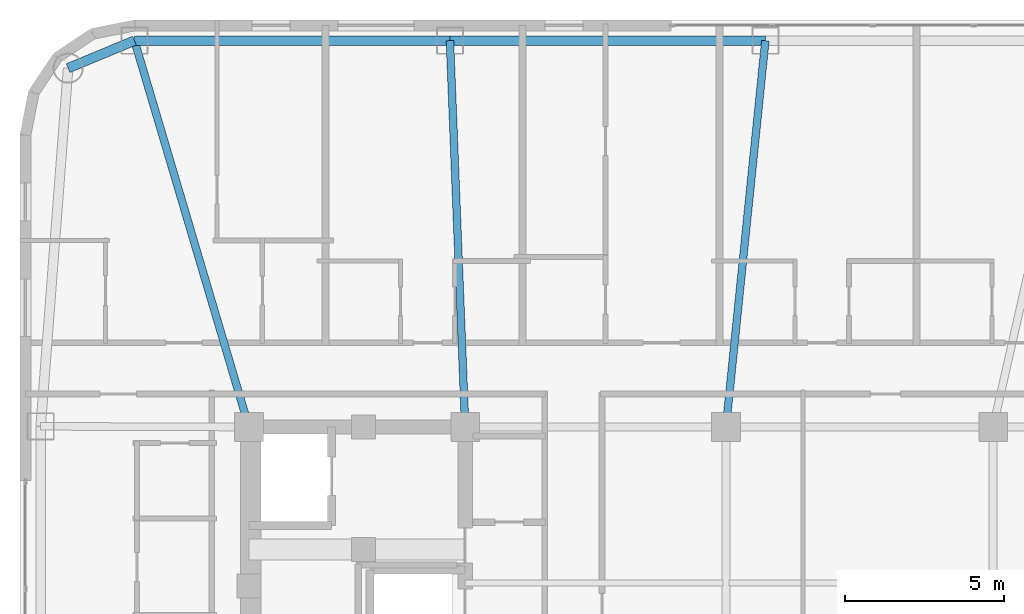
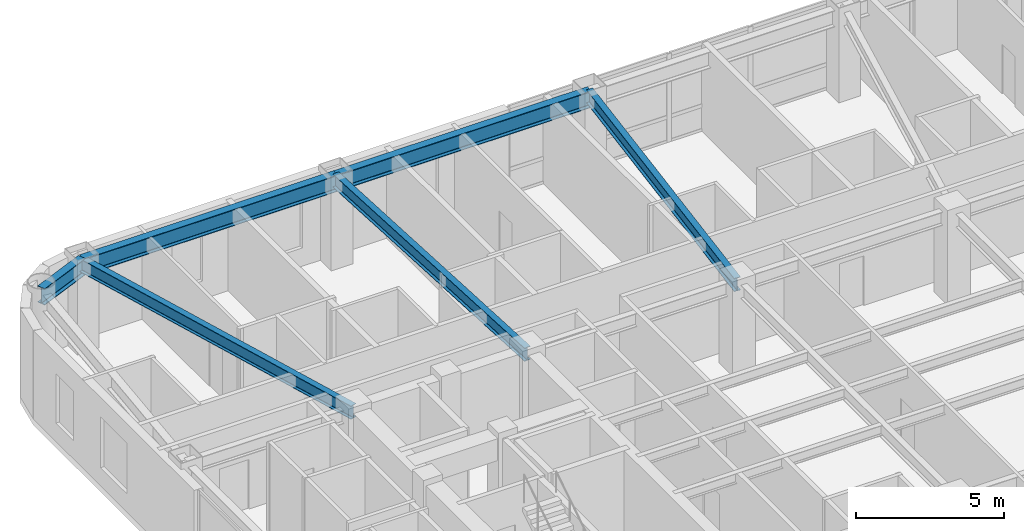
# One storey, part 16 of 29: 6 beams.
"""IFC4 building model written with IfcOpenShell, lengths in metres."""

from ifc_helpers import new_model, si_unit, direction, frame, origin, origin_2d, place, context, subcontext, project, spatial, i_section, extrude, material, material_profile, profile_set, type_object, element, save


model = new_model("IFC4")

# Units and contexts
model_context = context("Model", 3, precision=1e-05, world=origin(), true_north=direction((0.0, 1.0)))
body_context = subcontext(model_context, "Body", "Model", "MODEL_VIEW")
ifc_project = project(units=[si_unit("LENGTHUNIT", "METRE"), si_unit("AREAUNIT", "SQUARE_METRE"), si_unit("VOLUMEUNIT", "CUBIC_METRE"), si_unit("PLANEANGLEUNIT", "RADIAN"), si_unit("MASSUNIT", "GRAM", prefix="KILO")], contexts=[model_context])

# Site, building, storey
site_placement = place(None, origin())
site = spatial("IfcSite", under=ifc_project, at=site_placement, CompositionType="ELEMENT")
building_placement = place(site_placement, origin())
building = spatial("IfcBuilding", under=site, at=building_placement, Name="Voryun Gate Residences", CompositionType="ELEMENT")
storey_placement = place(building_placement, frame((0.0, 0.0, 211.89990234375)))
storey = spatial("IfcBuildingStorey", under=building, at=storey_placement, Name="L52", CompositionType="ELEMENT", Elevation=211.89990234375)

# Beams
ifc_material_1 = material(Name="Steel SM355", Category="steel")
ifc_material_profile_1 = material_profile(ifc_material_1, i_section(OverallWidth=0.300048828125, OverallDepth=0.679931640625, WebThickness=0.013916015625, FlangeThickness=0.02490234375, FilletRadius=0.01806640625, at=origin_2d()), Name="H-680x300x14x25")
ifc_profile_set_1 = profile_set([ifc_material_profile_1], Name="Steel SM355")
beam_type_1 = type_object("IfcBeamType", Name="BM_EXO_SPANDREL_M", PredefinedType="SPANDREL", material=ifc_profile_set_1)
beam_1_placement = place(storey_placement, frame((-2.9599609375, 19.550048828125, 3.31005859375), z_axis=(-1.0, 0.0, 0.0), x_axis=(0.0, -1.0, 0.0)))
element("IfcBeam", 1, at=beam_1_placement, inside=storey, type_object=beam_type_1, Name="BM-L52-SPAND-14", PredefinedType="SPANDREL", context=body_context, shape_type="SweptSolid", body=[
    extrude(i_section(OverallWidth=0.300048828125, OverallDepth=0.679931640625, WebThickness=0.013916015625, FlangeThickness=0.02490234375, FilletRadius=0.01806640625, at=origin_2d()), origin(), (0.0, 0.0, 1.0), 9.919921875),
])
beam_2_placement = place(storey_placement, frame((-12.8798828125, 19.550048828125, 3.31005859375), z_axis=(-1.0, 0.0, 0.0), x_axis=(0.0, -1.0, 0.0)))
element("IfcBeam", 2, at=beam_2_placement, inside=storey, type_object=beam_type_1, Name="BM-L52-SPAND-15", PredefinedType="SPANDREL", context=body_context, shape_type="SweptSolid", body=[
    extrude(i_section(OverallWidth=0.300048828125, OverallDepth=0.679931640625, WebThickness=0.013916015625, FlangeThickness=0.02490234375, FilletRadius=0.01806640625, at=origin_2d()), origin(), (0.0, 0.0, 1.0), 9.920166015625),
])
beam_3_placement = place(storey_placement, frame((-22.800048828125, 19.550048828125, 3.31005859375), z_axis=(-0.923881087602, -0.382679678022, 0.0), x_axis=(0.382679678022, -0.923881087602, 0.0)))
element("IfcBeam", 3, at=beam_3_placement, inside=storey, type_object=beam_type_1, Name="BM-L52-SPAND-16", PredefinedType="SPANDREL", context=body_context, shape_type="SweptSolid", body=[
    extrude(i_section(OverallWidth=0.300048828125, OverallDepth=0.679931640625, WebThickness=0.013916015625, FlangeThickness=0.02490234375, FilletRadius=0.01806640625, at=origin_2d()), origin(), (0.0, 0.0, 1.0), 2.2578125),
])
ifc_material_2 = material(Name="Steel SM355", Category="steel")
ifc_material_profile_2 = material_profile(ifc_material_2, i_section(OverallWidth=0.239990234375, OverallDepth=0.550048828125, WebThickness=0.011962890625, FlangeThickness=0.02001953125, FilletRadius=0.01806640625, at=origin_2d()), Name="H-550x240x12x20")
ifc_profile_set_2 = profile_set([ifc_material_profile_2], Name="Steel SM355")
beam_type_2 = type_object("IfcBeamType", Name="BM_GIRD_550", PredefinedType="USERDEFINED", material=ifc_profile_set_2)
beam_4_placement = place(storey_placement, frame((-4.199951171875, 7.39990234375, 3.375), z_axis=(0.101528223047, 0.994832659257, 0.0), x_axis=(-0.994832659257, 0.101528223047, 0.0)))
element("IfcBeam", 4, at=beam_4_placement, inside=storey, type_object=beam_type_2, Name="BM-L52-RAD-N4", ObjectType="GIRDER", PredefinedType="USERDEFINED", context=body_context, shape_type="SweptSolid", body=[
    extrude(i_section(OverallWidth=0.239990234375, OverallDepth=0.550048828125, WebThickness=0.011962890625, FlangeThickness=0.02001953125, FilletRadius=0.01806640625, at=origin_2d()), origin(), (0.0, 0.0, 1.0), 12.213134765625),
])
beam_5_placement = place(storey_placement, frame((-12.39990234375, 7.39990234375, 3.375), z_axis=(-0.039473300578, 0.999220625558, 0.0), x_axis=(-0.999220625558, -0.039473300578, 0.0)))
element("IfcBeam", 5, at=beam_5_placement, inside=storey, type_object=beam_type_2, Name="BM-L52-RAD-N5", ObjectType="GIRDER", PredefinedType="USERDEFINED", context=body_context, shape_type="SweptSolid", body=[
    extrude(i_section(OverallWidth=0.239990234375, OverallDepth=0.550048828125, WebThickness=0.011962890625, FlangeThickness=0.02001953125, FilletRadius=0.01806640625, at=origin_2d()), origin(), (0.0, 0.0, 1.0), 12.15966796875),
])
beam_6_placement = place(storey_placement, frame((-19.199951171875, 7.39990234375, 3.375), z_axis=(-0.284092265434, 0.958796946553, 0.0), x_axis=(-0.958796946553, -0.284092265434, 0.0)))
element("IfcBeam", 6, at=beam_6_placement, inside=storey, type_object=beam_type_2, Name="BM-L52-RAD-N6", ObjectType="GIRDER", PredefinedType="USERDEFINED", context=body_context, shape_type="SweptSolid", body=[
    extrude(i_section(OverallWidth=0.239990234375, OverallDepth=0.550048828125, WebThickness=0.011962890625, FlangeThickness=0.02001953125, FilletRadius=0.01806640625, at=origin_2d()), origin(), (0.0, 0.0, 1.0), 12.67236328125),
])

save(model, "model.ifc")
